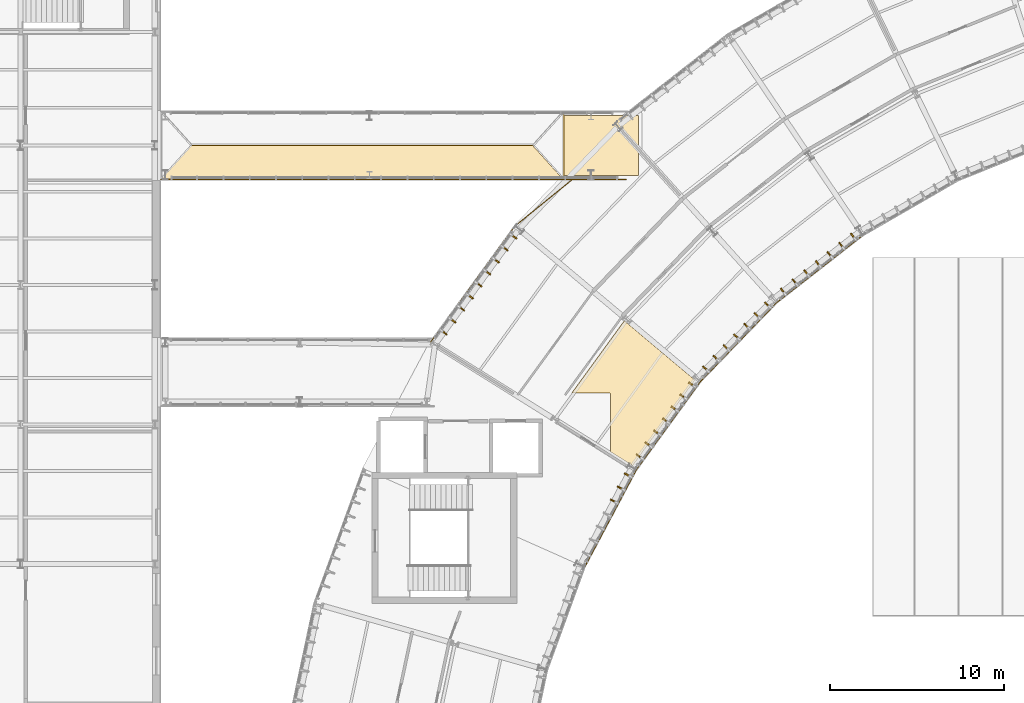
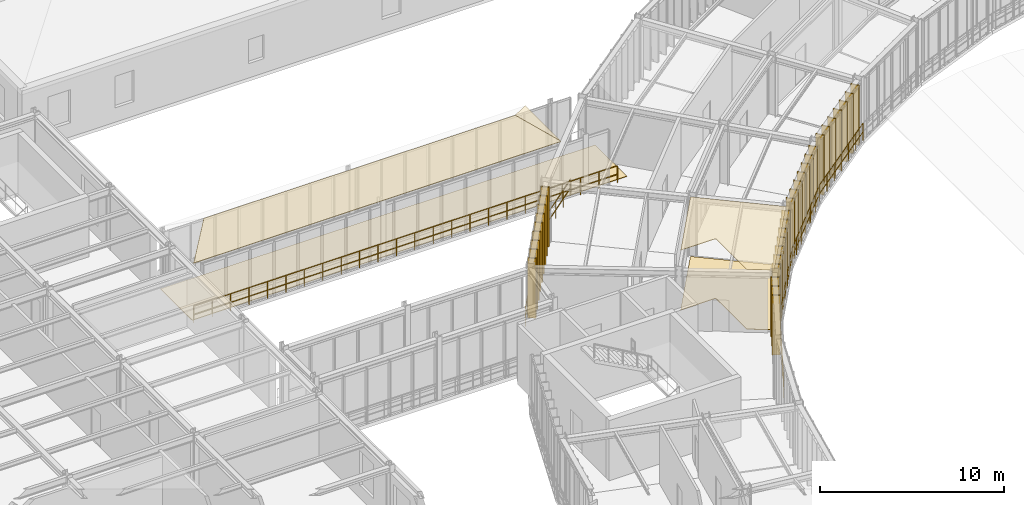
# One storey, part 52 of 57: 38 coverings, 7 railings.
"""IFC4 building model written with IfcOpenShell, lengths in metres."""

from ifc_helpers import new_model, si_unit, direction, frame, origin, origin_2d, place, context, subcontext, project, spatial, polyline, rectangle, circle, outline, extrude, material, layer, layer_set, type_object, element, save


model = new_model("IFC4")

# Units and contexts
model_context = context("Model", 3, precision=1e-05, world=origin(), true_north=direction((0.0, 1.0)))
body_context = subcontext(model_context, "Body", "Model", "MODEL_VIEW")
ifc_project = project(units=[si_unit("LENGTHUNIT", "METRE"), si_unit("AREAUNIT", "SQUARE_METRE"), si_unit("VOLUMEUNIT", "CUBIC_METRE"), si_unit("PLANEANGLEUNIT", "RADIAN"), si_unit("MASSUNIT", "GRAM", prefix="KILO"), si_unit("THERMODYNAMICTEMPERATUREUNIT", "KELVIN"), si_unit("POWERUNIT", "WATT")], contexts=[model_context])

# Site, building, storey
site_placement = place(None, origin())
site = spatial("IfcSite", under=ifc_project, at=site_placement, CompositionType="ELEMENT")
building_placement = place(site_placement, origin())
building = spatial("IfcBuilding", under=site, at=building_placement, Name="Solvatero Civic Police Headquarters", CompositionType="ELEMENT")
storey_placement = place(building_placement, frame((0.0, 0.0, 9.300048828125)))
storey = spatial("IfcBuildingStorey", under=building, at=storey_placement, Name="L02", CompositionType="ELEMENT", Elevation=9.300048828125)

# Coverings
ifc_material_1 = material(Name="Mineral-Fibre Acoustic Tile", Category="gypsum")
ifc_layer_1 = layer(ifc_material_1, 0.02490234375)
ifc_layer_set_1 = layer_set([ifc_layer_1], Name="Mineral-Fibre Acoustic Tile")
covering_type_1 = type_object("IfcCoveringType", Name="COV-CEIL-AC", PredefinedType="CEILING", material=ifc_layer_set_1)
covering_1_placement = place(storey_placement, frame((0.0, 0.0, 3.974853515625)))
element("IfcCovering", 1, at=covering_1_placement, inside=storey, type_object=covering_type_1, Name="Acoustic Ceiling Homicide and Major Crimes Squad Bay 8", PredefinedType="CEILING", context=body_context, shape_type="SweptSolid", body=[
    extrude(outline(polyline([(55.110107421875, 58.449951171875), (59.161865234375, 55.0498046875), (55.594482421875, 50.139892578125), (54.320068359375, 50.936279296875), (54.320068359375, 54.239990234375), (54.319580078125, 54.247802734375), (54.318603515625, 54.255615234375), (54.316650390625, 54.26318359375), (54.31396484375, 54.2705078125), (54.310546875, 54.277587890625), (54.306396484375, 54.284423828125), (54.3017578125, 54.290771484375), (54.296630859375, 54.296630859375), (54.290771484375, 54.3017578125), (54.284423828125, 54.306396484375), (54.277587890625, 54.310546875), (54.2705078125, 54.31396484375), (54.26318359375, 54.316650390625), (54.255615234375, 54.318603515625), (54.247802734375, 54.319580078125), (54.239990234375, 54.320068359375), (52.109375, 54.320068359375), (55.110107421875, 58.449951171875)])), origin(), (0.0, 0.0, 1.0), 0.025146484375),
])
ifc_material_2 = material(Name="Anodized Bronze Aluminium", Category="aluminium")
ifc_layer_2 = layer(ifc_material_2, 0.080078125)
ifc_layer_set_2 = layer_set([ifc_layer_2], Name="Anodized Bronze Aluminium")
covering_type_2 = type_object("IfcCoveringType", Name="COV-FIN-480", PredefinedType="CLADDING", material=ifc_layer_set_2)
for number, where, z_axis, x_axis, name in (
    (2, (68.246826171875, 63.264404296875, -0.02001953125), (0.0, 0.0, 1.0), (-0.788010753607, -0.615661475326, 0.0), "Vertical Brise-Soleil Fin 0454"),
    (3, (67.576904296875, 62.7412109375, -0.02001953125), (0.0, 0.0, 1.0), (-0.788010753607, -0.615661475326, 0.0), "Vertical Brise-Soleil Fin 0455"),
    (4, (66.9072265625, 62.218017578125, -0.02001953125), (0.0, 0.0, 1.0), (-0.788010753607, -0.615661475326, 0.0), "Vertical Brise-Soleil Fin 0456"),
    (5, (66.2373046875, 61.694580078125, -0.02001953125), (0.0, 0.0, 1.0), (-0.788010753607, -0.615661475326, 0.0), "Vertical Brise-Soleil Fin 0457"),
    (6, (65.567626953125, 61.17138671875, -0.02001953125), (0.0, 0.0, 1.0), (-0.788010753607, -0.615661475326, 0.0), "Vertical Brise-Soleil Fin 0458"),
    (7, (64.897705078125, 60.64794921875, -0.02001953125), (0.0, 0.0, 1.0), (-0.788010753607, -0.615661475326, 0.0), "Vertical Brise-Soleil Fin 0459"),
    (8, (64.22802734375, 60.124755859375, -0.02001953125), (0.0, 0.0, 1.0), (-0.788010753607, -0.615661475326, 0.0), "Vertical Brise-Soleil Fin 0460"),
    (9, (63.336181640625, 59.343505859375, -0.02001953125), (0.0, 0.0, 1.0), (-0.694658370459, -0.719339800339, 0.0), "Vertical Brise-Soleil Fin 0461"),
    (10, (62.74560546875, 58.732177734375, -0.02001953125), (0.0, 0.0, 1.0), (-0.694658370459, -0.719339800339, 0.0), "Vertical Brise-Soleil Fin 0462"),
    (11, (62.1552734375, 58.12060546875, -0.02001953125), (0.0, 0.0, 1.0), (-0.694658370459, -0.719339800339, 0.0), "Vertical Brise-Soleil Fin 0463"),
    (12, (61.564697265625, 57.50927734375, -0.02001953125), (0.0, 0.0, 1.0), (-0.694658370459, -0.719339800339, 0.0), "Vertical Brise-Soleil Fin 0464"),
    (13, (60.974365234375, 56.897705078125, -0.02001953125), (0.0, 0.0, 1.0), (-0.694658370459, -0.719339800339, 0.0), "Vertical Brise-Soleil Fin 0465"),
    (14, (60.3837890625, 56.286376953125, -0.02001953125), (0.0, 0.0, 1.0), (-0.694658370459, -0.719339800339, 0.0), "Vertical Brise-Soleil Fin 0466"),
    (15, (59.79345703125, 55.6748046875, -0.02001953125), (0.0, 0.0, 1.0), (-0.694658370459, -0.719339800339, 0.0), "Vertical Brise-Soleil Fin 0467"),
    (16, (48.7529296875, 63.294189453125, -0.02001953125), (0.0, 0.0, 1.0), (-0.587771132193, -0.80902725304, 0.0), "Vertical Brise-Soleil Fin 0468"),
    (17, (48.25341796875, 62.606689453125, -0.02001953125), (0.0, 0.0, 1.0), (-0.587771132193, -0.80902725304, 0.0), "Vertical Brise-Soleil Fin 0469"),
    (18, (47.75390625, 61.9189453125, -0.02001953125), (0.0, 0.0, 1.0), (-0.587771132193, -0.80902725304, 0.0), "Vertical Brise-Soleil Fin 0470"),
    (19, (47.254150390625, 61.231201171875, -0.02001953125), (0.0, 0.0, 1.0), (-0.587771132193, -0.80902725304, 0.0), "Vertical Brise-Soleil Fin 0471"),
    (20, (46.754638671875, 60.543701171875, -0.02001953125), (0.0, 0.0, 1.0), (-0.587771132193, -0.80902725304, 0.0), "Vertical Brise-Soleil Fin 0472"),
    (21, (46.2548828125, 59.85595703125, -0.02001953125), (0.0, 0.0, 1.0), (-0.587771132193, -0.80902725304, 0.0), "Vertical Brise-Soleil Fin 0473"),
    (22, (45.75537109375, 59.168212890625, -0.02001953125), (0.0, 0.0, 1.0), (-0.587771132193, -0.80902725304, 0.0), "Vertical Brise-Soleil Fin 0474"),
    (23, (45.255615234375, 58.480712890625, -0.02001953125), (0.0, 0.0, 1.0), (-0.587771132193, -0.80902725304, 0.0), "Vertical Brise-Soleil Fin 0475"),
    (24, (44.756103515625, 57.79296875, -0.02001953125), (0.0, 0.0, 1.0), (-0.587771132193, -0.80902725304, 0.0), "Vertical Brise-Soleil Fin 0476"),
    (25, (59.007568359375, 54.77001953125, -0.02001953125), (0.0, 0.0, 1.0), (-0.587785252292, -0.809016994375, 0.0), "Vertical Brise-Soleil Fin 0477"),
    (26, (58.5078125, 54.08251953125, -0.02001953125), (0.0, 0.0, 1.0), (-0.587785252292, -0.809016994375, 0.0), "Vertical Brise-Soleil Fin 0478"),
    (27, (58.00830078125, 53.394775390625, -0.02001953125), (0.0, 0.0, 1.0), (-0.587785252292, -0.809016994375, 0.0), "Vertical Brise-Soleil Fin 0479"),
    (28, (57.5087890625, 52.70703125, -0.02001953125), (0.0, 0.0, 1.0), (-0.587785252292, -0.809016994375, 0.0), "Vertical Brise-Soleil Fin 0480"),
    (29, (57.009033203125, 52.019287109375, -0.02001953125), (0.0, 0.0, 1.0), (-0.587785252292, -0.809016994375, 0.0), "Vertical Brise-Soleil Fin 0481"),
    (30, (56.509521484375, 51.331787109375, -0.02001953125), (0.0, 0.0, 1.0), (-0.587785252292, -0.809016994375, 0.0), "Vertical Brise-Soleil Fin 0482"),
    (31, (56.009765625, 50.64404296875, -0.02001953125), (0.0, 0.0, 1.0), (-0.587785252292, -0.809016994375, 0.0), "Vertical Brise-Soleil Fin 0483"),
    (32, (55.328125, 49.590087890625, -0.02001953125), (0.0, 0.0, 1.0), (-0.469471562786, -0.882947592859, 0.0), "Vertical Brise-Soleil Fin 0484"),
    (33, (54.928955078125, 48.839599609375, -0.02001953125), (0.0, 0.0, 1.0), (-0.469471562786, -0.882947592859, 0.0), "Vertical Brise-Soleil Fin 0485"),
    (34, (54.530029296875, 48.089111328125, -0.02001953125), (0.0, 0.0, 1.0), (-0.469471562786, -0.882947592859, 0.0), "Vertical Brise-Soleil Fin 0486"),
):
    element("IfcCovering", number, at=place(storey_placement, frame(where, z_axis=z_axis, x_axis=x_axis)), inside=storey, type_object=covering_type_2, Name=name, PredefinedType="CLADDING", context=body_context, shape_type="SweptSolid", body=[
        extrude(rectangle(XDim=0.080078125, YDim=0.47998046875, at=origin_2d()), origin(), (0.0, 0.0, 1.0), 3.97998046875),
    ])
ifc_material_3 = material(Name="Venetian Terrazzo Stone", Category="masonry")
ifc_layer_3 = layer(ifc_material_3, 0.034912109375)
ifc_layer_set_3 = layer_set([ifc_layer_3], Name="Venetian Terrazzo Stone")
covering_type_3 = type_object("IfcCoveringType", Name="COV-FLR-TER", PredefinedType="FLOORING", material=ifc_layer_set_3)
covering_2_placement = place(storey_placement, origin())
element("IfcCovering", 35, at=covering_2_placement, inside=storey, type_object=covering_type_3, Name="Flooring North Courtyard Evidence Skybridge L02", PredefinedType="FLOORING", context=body_context, shape_type="SweptSolid", body=[
    extrude(outline(polyline([(28.580078125, 66.780029296875), (28.580078125, 70.219970703125), (55.919921875, 70.219970703125), (55.919921875, 66.780029296875), (28.580078125, 66.780029296875)])), origin(), (0.0, 0.0, 1.0), 0.034912109375),
])
covering_3_placement = place(storey_placement, origin())
element("IfcCovering", 36, at=covering_3_placement, inside=storey, type_object=covering_type_3, Name="Flooring Homicide and Major Crimes Squad Bay 8", PredefinedType="FLOORING", context=body_context, shape_type="SweptSolid", body=[
    extrude(outline(polyline([(55.110107421875, 58.449951171875), (59.161865234375, 55.0498046875), (55.594482421875, 50.139892578125), (54.320068359375, 50.936279296875), (54.320068359375, 54.239990234375), (54.319580078125, 54.247802734375), (54.318603515625, 54.255615234375), (54.316650390625, 54.26318359375), (54.31396484375, 54.2705078125), (54.310546875, 54.277587890625), (54.306396484375, 54.284423828125), (54.3017578125, 54.290771484375), (54.296630859375, 54.296630859375), (54.290771484375, 54.3017578125), (54.284423828125, 54.306396484375), (54.277587890625, 54.310546875), (54.2705078125, 54.31396484375), (54.26318359375, 54.316650390625), (54.255615234375, 54.318603515625), (54.247802734375, 54.319580078125), (54.239990234375, 54.320068359375), (52.109375, 54.320068359375), (55.110107421875, 58.449951171875)])), origin(), (0.0, 0.0, 1.0), 0.034912109375),
])
ifc_material_4 = material(Name="Lombard Terracotta Clay Tile", Category="masonry")
ifc_layer_4 = layer(ifc_material_4, 0.06005859375)
ifc_layer_set_4 = layer_set([ifc_layer_4], Name="Lombard Terracotta Clay Tile")
covering_type_4 = type_object("IfcCoveringType", Name="COV-RF-TILE", PredefinedType="ROOFING", material=ifc_layer_set_4)
covering_4_placement = place(storey_placement, frame((28.5400390625, 66.5400390625, 3.989990234375), z_axis=(0.0, -0.512544009094, 0.858660956805), x_axis=(1.0, 0.0, 0.0)))
element("IfcCovering", 37, at=covering_4_placement, inside=storey, type_object=covering_type_4, Name="SB2R Lombard Terracotta Hipped Roof Covering S", PredefinedType="ROOFING", context=body_context, shape_type="SweptSolid", body=[
    extrude(outline(polyline([(0.0, 0.0), (23.119873046875, 0.0), (21.349853515625, 2.282578382034097), (1.77001953125, 2.282578382034097), (0.0, 0.0)])), origin(), (0.0, 0.0, -1.0), 0.06005859375),
])
covering_5_placement = place(storey_placement, frame((51.659912109375, 66.5400390625, 3.989990234375), z_axis=(0.551403153833, 0.0, 0.834238911789), x_axis=(0.0, 1.0, 0.0)))
element("IfcCovering", 38, at=covering_5_placement, inside=storey, type_object=covering_type_4, Name="SB2R Lombard Terracotta Hipped Roof Covering E", PredefinedType="ROOFING", context=body_context, shape_type="SweptSolid", body=[
    extrude(outline(polyline([(0.0, 0.0), (3.919921875, 0.0), (1.9599609375, 2.121717779208626), (0.0, 0.0)])), origin(), (0.0, 0.0, -1.0), 0.06005859375),
])

# Railings
ifc_material_5 = material(Name="Anodized Bronze and Laminated Glass", Category="glass")
railing_type = type_object("IfcRailingType", Name="RL-BAL-115", PredefinedType="BALUSTRADE", material=ifc_material_5)
railing_1_placement = place(storey_placement, frame((48.85009765625, 63.8798828125, 0.0)))
element("IfcRailing", 39, at=railing_1_placement, inside=storey, type_object=railing_type, Name="Glazed Facade Sill Balustrade RL-L02-ARCOUT-B07S", PredefinedType="BALUSTRADE", context=body_context, shape_type="SweptSolid", body=[
    extrude(circle(Radius=0.02392578125, at=origin_2d()), frame((0.0, 0.0, 1.1259765625), z_axis=(0.776511481684, 0.630103101732, 0.0), x_axis=(-0.630103101732, 0.776511481684, 0.0)), (0.0, 0.0, 1.0), 4.50732421875),
    extrude(circle(Radius=0.02392578125, at=origin_2d()), frame((0.0, 0.0, 0.55078125), z_axis=(0.776511481684, 0.630103101732, 0.0), x_axis=(-0.630103101732, 0.776511481684, 0.0)), (0.0, 0.0, 1.0), 4.50732421875),
    extrude(circle(Radius=0.02099609375, at=origin_2d()), origin(), (0.0, 0.0, 1.0), 1.101806640625),
    extrude(circle(Radius=0.02099609375, at=origin_2d()), frame((0.875, 0.7099609375, 0.0)), (0.0, 0.0, 1.0), 1.101806640625),
    extrude(circle(Radius=0.02099609375, at=origin_2d()), frame((1.75, 1.419921875, 0.0)), (0.0, 0.0, 1.0), 1.101806640625),
    extrude(circle(Radius=0.02099609375, at=origin_2d()), frame((2.625, 2.130126953125, 0.0)), (0.0, 0.0, 1.0), 1.101806640625),
    extrude(circle(Radius=0.02099609375, at=origin_2d()), frame((3.5, 2.840087890625, 0.0)), (0.0, 0.0, 1.0), 1.101806640625),
])
railing_2_placement = place(storey_placement, frame((28.550048828125, 66.550048828125, 0.0)))
element("IfcRailing", 40, at=railing_2_placement, inside=storey, type_object=railing_type, Name="Glazed Facade Sill Balustrade RL-L02-SB2-S", PredefinedType="BALUSTRADE", context=body_context, shape_type="SweptSolid", body=[
    extrude(circle(Radius=0.02392578125, at=origin_2d()), frame((0.0, 0.0, 1.1259765625), z_axis=(1.0, 0.0, 0.0), x_axis=(0.0, 1.0, 0.0)), (0.0, 0.0, 1.0), 26.64990234375),
    extrude(circle(Radius=0.02392578125, at=origin_2d()), frame((0.0, 0.0, 0.55078125), z_axis=(1.0, 0.0, 0.0), x_axis=(0.0, 1.0, 0.0)), (0.0, 0.0, 1.0), 26.64990234375),
    extrude(circle(Radius=0.02099609375, at=origin_2d()), origin(), (0.0, 0.0, 1.0), 1.101806640625),
    extrude(circle(Radius=0.02099609375, at=origin_2d()), frame((1.15869140625, 0.0, 0.0)), (0.0, 0.0, 1.0), 1.101806640625),
    extrude(circle(Radius=0.02099609375, at=origin_2d()), frame((2.3173828125, 0.0, 0.0)), (0.0, 0.0, 1.0), 1.101806640625),
    extrude(circle(Radius=0.02099609375, at=origin_2d()), frame((3.47607421875, 0.0, 0.0)), (0.0, 0.0, 1.0), 1.101806640625),
    extrude(circle(Radius=0.02099609375, at=origin_2d()), frame((4.634765625, 0.0, 0.0)), (0.0, 0.0, 1.0), 1.101806640625),
    extrude(circle(Radius=0.02099609375, at=origin_2d()), frame((5.79345703125, 0.0, 0.0)), (0.0, 0.0, 1.0), 1.101806640625),
    extrude(circle(Radius=0.02099609375, at=origin_2d()), frame((6.9521484375, 0.0, 0.0)), (0.0, 0.0, 1.0), 1.101806640625),
    extrude(circle(Radius=0.02099609375, at=origin_2d()), frame((8.11083984375, 0.0, 0.0)), (0.0, 0.0, 1.0), 1.101806640625),
    extrude(circle(Radius=0.02099609375, at=origin_2d()), frame((9.26953125, 0.0, 0.0)), (0.0, 0.0, 1.0), 1.101806640625),
    extrude(circle(Radius=0.02099609375, at=origin_2d()), frame((10.42822265625, 0.0, 0.0)), (0.0, 0.0, 1.0), 1.101806640625),
    extrude(circle(Radius=0.02099609375, at=origin_2d()), frame((11.5869140625, 0.0, 0.0)), (0.0, 0.0, 1.0), 1.101806640625),
    extrude(circle(Radius=0.02099609375, at=origin_2d()), frame((12.74560546875, 0.0, 0.0)), (0.0, 0.0, 1.0), 1.101806640625),
    extrude(circle(Radius=0.02099609375, at=origin_2d()), frame((13.904296875, 0.0, 0.0)), (0.0, 0.0, 1.0), 1.101806640625),
    extrude(circle(Radius=0.02099609375, at=origin_2d()), frame((15.06298828125, 0.0, 0.0)), (0.0, 0.0, 1.0), 1.101806640625),
    extrude(circle(Radius=0.02099609375, at=origin_2d()), frame((16.2216796875, 0.0, 0.0)), (0.0, 0.0, 1.0), 1.101806640625),
    extrude(circle(Radius=0.02099609375, at=origin_2d()), frame((17.38037109375, 0.0, 0.0)), (0.0, 0.0, 1.0), 1.101806640625),
    extrude(circle(Radius=0.02099609375, at=origin_2d()), frame((18.5390625, 0.0, 0.0)), (0.0, 0.0, 1.0), 1.101806640625),
    extrude(circle(Radius=0.02099609375, at=origin_2d()), frame((19.69775390625, 0.0, 0.0)), (0.0, 0.0, 1.0), 1.101806640625),
    extrude(circle(Radius=0.02099609375, at=origin_2d()), frame((20.8564453125, 0.0, 0.0)), (0.0, 0.0, 1.0), 1.101806640625),
    extrude(circle(Radius=0.02099609375, at=origin_2d()), frame((22.01513671875, 0.0, 0.0)), (0.0, 0.0, 1.0), 1.101806640625),
    extrude(circle(Radius=0.02099609375, at=origin_2d()), frame((23.173828125, 0.0, 0.0)), (0.0, 0.0, 1.0), 1.101806640625),
    extrude(circle(Radius=0.02099609375, at=origin_2d()), frame((24.33251953125, 0.0, 0.0)), (0.0, 0.0, 1.0), 1.101806640625),
    extrude(circle(Radius=0.02099609375, at=origin_2d()), frame((25.4912109375, 0.0, 0.0)), (0.0, 0.0, 1.0), 1.101806640625),
    extrude(circle(Radius=0.02099609375, at=origin_2d()), frame((26.64990234375, 0.0, 0.0)), (0.0, 0.0, 1.0), 1.101806640625),
])
railing_3_placement = place(storey_placement, frame((68.802734375, 63.3564453125, 0.0)))
element("IfcRailing", 41, at=railing_3_placement, inside=storey, type_object=railing_type, Name="Glazed Facade Sill Balustrade RL-L02-ARCIN-B06", PredefinedType="BALUSTRADE", context=body_context, shape_type="SweptSolid", body=[
    extrude(circle(Radius=0.02392578125, at=origin_2d()), frame((0.0, 0.0, 1.1259765625), z_axis=(-0.787997288522, -0.61567870946, 0.0), x_axis=(0.61567870946, -0.787997288522, 0.0)), (0.0, 0.0, 1.0), 6.286376953125),
    extrude(circle(Radius=0.02392578125, at=origin_2d()), frame((0.0, 0.0, 0.55078125), z_axis=(-0.787997288522, -0.61567870946, 0.0), x_axis=(0.61567870946, -0.787997288522, 0.0)), (0.0, 0.0, 1.0), 6.286376953125),
    extrude(circle(Radius=0.02099609375, at=origin_2d()), origin(), (0.0, 0.0, 1.0), 1.101806640625),
    extrude(circle(Radius=0.02099609375, at=origin_2d()), frame((-0.82568359375, -0.64501953125, 0.0)), (0.0, 0.0, 1.0), 1.101806640625),
    extrude(circle(Radius=0.02099609375, at=origin_2d()), frame((-1.651123046875, -1.2900390625, 0.0)), (0.0, 0.0, 1.0), 1.101806640625),
    extrude(circle(Radius=0.02099609375, at=origin_2d()), frame((-2.476806640625, -1.93505859375, 0.0)), (0.0, 0.0, 1.0), 1.101806640625),
    extrude(circle(Radius=0.02099609375, at=origin_2d()), frame((-3.302490234375, -2.580322265625, 0.0)), (0.0, 0.0, 1.0), 1.101806640625),
    extrude(circle(Radius=0.02099609375, at=origin_2d()), frame((-4.1279296875, -3.225341796875, 0.0)), (0.0, 0.0, 1.0), 1.101806640625),
    extrude(circle(Radius=0.02099609375, at=origin_2d()), frame((-4.95361328125, -3.870361328125, 0.0)), (0.0, 0.0, 1.0), 1.101806640625),
])
railing_4_placement = place(storey_placement, frame((63.84912109375, 59.486083984375, 0.0)))
element("IfcRailing", 42, at=railing_4_placement, inside=storey, type_object=railing_type, Name="Glazed Facade Sill Balustrade RL-L02-ARCIN-B07", PredefinedType="BALUSTRADE", context=body_context, shape_type="SweptSolid", body=[
    extrude(circle(Radius=0.02392578125, at=origin_2d()), frame((0.0, 0.0, 1.1259765625), z_axis=(-0.694688764394, -0.719310448016, 0.0), x_axis=(0.719310448016, -0.694688764394, 0.0)), (0.0, 0.0, 1.0), 6.28662109375),
    extrude(circle(Radius=0.02392578125, at=origin_2d()), frame((0.0, 0.0, 0.55078125), z_axis=(-0.694688764394, -0.719310448016, 0.0), x_axis=(0.719310448016, -0.694688764394, 0.0)), (0.0, 0.0, 1.0), 6.28662109375),
    extrude(circle(Radius=0.02099609375, at=origin_2d()), origin(), (0.0, 0.0, 1.0), 1.101806640625),
    extrude(circle(Radius=0.02099609375, at=origin_2d()), frame((-0.727783203125, -0.753662109375, 0.0)), (0.0, 0.0, 1.0), 1.101806640625),
    extrude(circle(Radius=0.02099609375, at=origin_2d()), frame((-1.455810546875, -1.50732421875, 0.0)), (0.0, 0.0, 1.0), 1.101806640625),
    extrude(circle(Radius=0.02099609375, at=origin_2d()), frame((-2.18359375, -2.260986328125, 0.0)), (0.0, 0.0, 1.0), 1.101806640625),
    extrude(circle(Radius=0.02099609375, at=origin_2d()), frame((-2.911376953125, -3.0146484375, 0.0)), (0.0, 0.0, 1.0), 1.101806640625),
    extrude(circle(Radius=0.02099609375, at=origin_2d()), frame((-3.639404296875, -3.768310546875, 0.0)), (0.0, 0.0, 1.0), 1.101806640625),
    extrude(circle(Radius=0.02099609375, at=origin_2d()), frame((-4.3671875, -4.52197265625, 0.0)), (0.0, 0.0, 1.0), 1.101806640625),
])
railing_5_placement = place(storey_placement, frame((59.48193359375, 54.964111328125, 0.0)))
element("IfcRailing", 43, at=railing_5_placement, inside=storey, type_object=railing_type, Name="Glazed Facade Sill Balustrade RL-L02-ARCIN-B08", PredefinedType="BALUSTRADE", context=body_context, shape_type="SweptSolid", body=[
    extrude(circle(Radius=0.02392578125, at=origin_2d()), frame((0.0, 0.0, 1.1259765625), z_axis=(-0.587751344524, -0.809041628725, 0.0), x_axis=(0.809041628725, -0.587751344524, 0.0)), (0.0, 0.0, 1.0), 6.286376953125),
    extrude(circle(Radius=0.02392578125, at=origin_2d()), frame((0.0, 0.0, 0.55078125), z_axis=(-0.587751344524, -0.809041628725, 0.0), x_axis=(0.809041628725, -0.587751344524, 0.0)), (0.0, 0.0, 1.0), 6.286376953125),
    extrude(circle(Radius=0.02099609375, at=origin_2d()), origin(), (0.0, 0.0, 1.0), 1.101806640625),
    extrude(circle(Radius=0.02099609375, at=origin_2d()), frame((-0.61572265625, -0.84765625, 0.0)), (0.0, 0.0, 1.0), 1.101806640625),
    extrude(circle(Radius=0.02099609375, at=origin_2d()), frame((-1.231689453125, -1.6953125, 0.0)), (0.0, 0.0, 1.0), 1.101806640625),
    extrude(circle(Radius=0.02099609375, at=origin_2d()), frame((-1.847412109375, -2.54296875, 0.0)), (0.0, 0.0, 1.0), 1.101806640625),
    extrude(circle(Radius=0.02099609375, at=origin_2d()), frame((-2.463134765625, -3.390625, 0.0)), (0.0, 0.0, 1.0), 1.101806640625),
    extrude(circle(Radius=0.02099609375, at=origin_2d()), frame((-3.0791015625, -4.23828125, 0.0)), (0.0, 0.0, 1.0), 1.101806640625),
    extrude(circle(Radius=0.02099609375, at=origin_2d()), frame((-3.69482421875, -5.0859375, 0.0)), (0.0, 0.0, 1.0), 1.101806640625),
])
railing_6_placement = place(storey_placement, frame((48.849365234375, 63.885986328125, 0.0)))
element("IfcRailing", 44, at=railing_6_placement, inside=storey, type_object=railing_type, Name="Glazed Facade Sill Balustrade RL-L02-ARCOUT-B08", PredefinedType="BALUSTRADE", context=body_context, shape_type="SweptSolid", body=[
    extrude(circle(Radius=0.02392578125, at=origin_2d()), frame((0.0, 0.0, 1.1259765625), z_axis=(-0.587774421673, -0.80902486317, 0.0), x_axis=(0.80902486317, -0.587774421673, 0.0)), (0.0, 0.0, 1.0), 8.222900390625),
    extrude(circle(Radius=0.02392578125, at=origin_2d()), frame((0.0, 0.0, 0.55078125), z_axis=(-0.587774421673, -0.80902486317, 0.0), x_axis=(0.80902486317, -0.587774421673, 0.0)), (0.0, 0.0, 1.0), 8.222900390625),
    extrude(circle(Radius=0.02099609375, at=origin_2d()), origin(), (0.0, 0.0, 1.0), 1.101806640625),
    extrude(circle(Radius=0.02099609375, at=origin_2d()), frame((-0.6904296875, -0.950439453125, 0.0)), (0.0, 0.0, 1.0), 1.101806640625),
    extrude(circle(Radius=0.02099609375, at=origin_2d()), frame((-1.380859375, -1.900634765625, 0.0)), (0.0, 0.0, 1.0), 1.101806640625),
    extrude(circle(Radius=0.02099609375, at=origin_2d()), frame((-2.0712890625, -2.85107421875, 0.0)), (0.0, 0.0, 1.0), 1.101806640625),
    extrude(circle(Radius=0.02099609375, at=origin_2d()), frame((-2.761962890625, -3.801513671875, 0.0)), (0.0, 0.0, 1.0), 1.101806640625),
    extrude(circle(Radius=0.02099609375, at=origin_2d()), frame((-3.452392578125, -4.751953125, 0.0)), (0.0, 0.0, 1.0), 1.101806640625),
    extrude(circle(Radius=0.02099609375, at=origin_2d()), frame((-4.142822265625, -5.7021484375, 0.0)), (0.0, 0.0, 1.0), 1.101806640625),
    extrude(circle(Radius=0.02099609375, at=origin_2d()), frame((-4.833251953125, -6.652587890625, 0.0)), (0.0, 0.0, 1.0), 1.101806640625),
])
railing_7_placement = place(storey_placement, frame((55.787109375, 49.878173828125, 0.0)))
element("IfcRailing", 45, at=railing_7_placement, inside=storey, type_object=railing_type, Name="Glazed Facade Sill Balustrade RL-L02-ARCIN-B09", PredefinedType="BALUSTRADE", context=body_context, shape_type="SweptSolid", body=[
    extrude(circle(Radius=0.02392578125, at=origin_2d()), frame((0.0, 0.0, 1.1259765625), z_axis=(-0.469489306855, -0.882938157941, 0.0), x_axis=(0.882938157941, -0.469489306855, 0.0)), (0.0, 0.0, 1.0), 6.286376953125),
    extrude(circle(Radius=0.02392578125, at=origin_2d()), frame((0.0, 0.0, 0.55078125), z_axis=(-0.469489306855, -0.882938157941, 0.0), x_axis=(0.882938157941, -0.469489306855, 0.0)), (0.0, 0.0, 1.0), 6.286376953125),
    extrude(circle(Radius=0.02099609375, at=origin_2d()), origin(), (0.0, 0.0, 1.0), 1.101806640625),
    extrude(circle(Radius=0.02099609375, at=origin_2d()), frame((-0.491943359375, -0.925048828125, 0.0)), (0.0, 0.0, 1.0), 1.101806640625),
    extrude(circle(Radius=0.02099609375, at=origin_2d()), frame((-0.98388671875, -1.85009765625, 0.0)), (0.0, 0.0, 1.0), 1.101806640625),
    extrude(circle(Radius=0.02099609375, at=origin_2d()), frame((-1.4755859375, -2.775390625, 0.0)), (0.0, 0.0, 1.0), 1.101806640625),
    extrude(circle(Radius=0.02099609375, at=origin_2d()), frame((-1.967529296875, -3.700439453125, 0.0)), (0.0, 0.0, 1.0), 1.101806640625),
    extrude(circle(Radius=0.02099609375, at=origin_2d()), frame((-2.45947265625, -4.62548828125, 0.0)), (0.0, 0.0, 1.0), 1.101806640625),
    extrude(circle(Radius=0.02099609375, at=origin_2d()), frame((-2.951416015625, -5.550537109375, 0.0)), (0.0, 0.0, 1.0), 1.101806640625),
])

save(model, "model.ifc")
